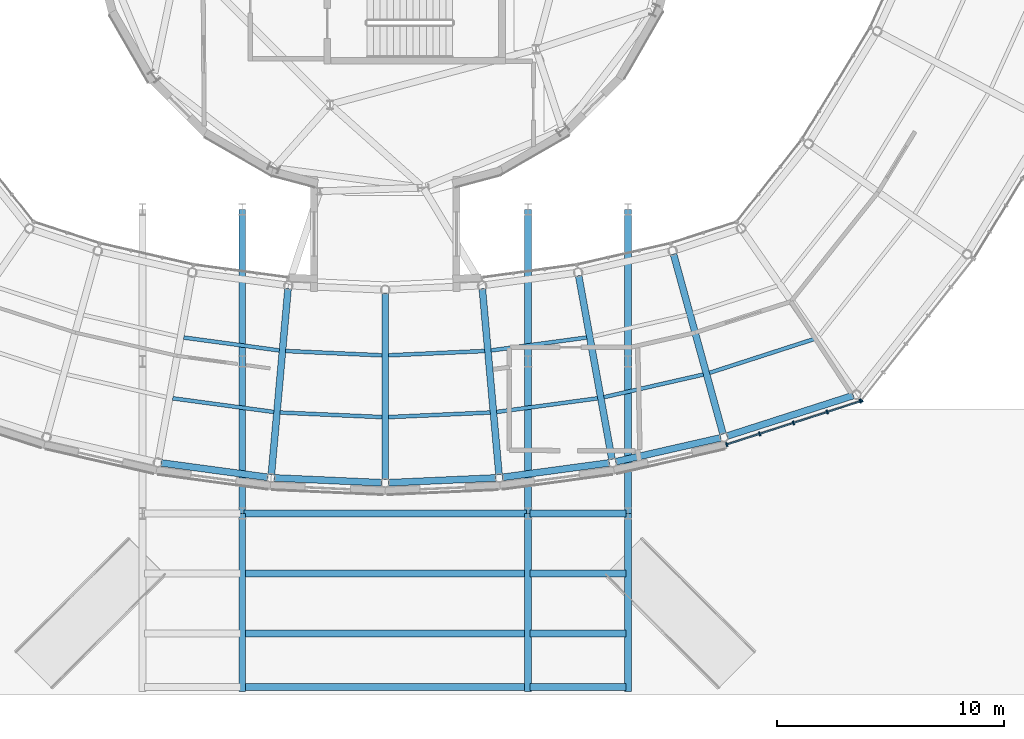
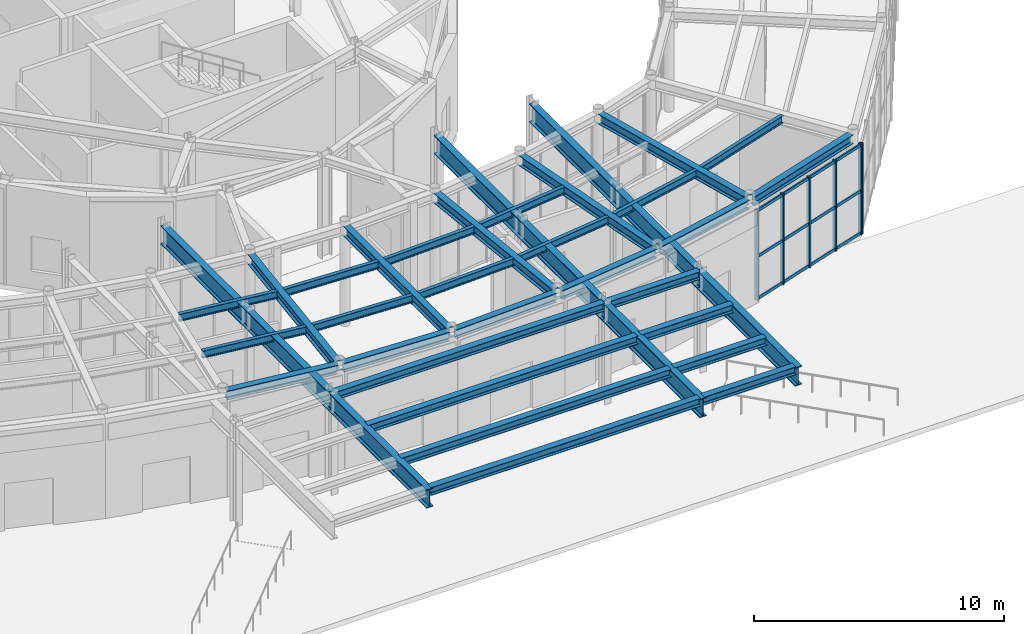
# One storey, part 26 of 97: 35 beams, 9 members, 2 elements without a shape of their own.
"""IFC4 building model written with IfcOpenShell, lengths in metres."""

import ifcopenshell
import ifcopenshell.guid

model = None  # the IFC model being written
_history = None  # IfcOwnerHistory: only IFC2X3 demands one
_inside = {}  # id of a spatial element -> (the spatial element, [elements in it])
_under = {}  # id of a project, library or spatial element -> (it, [spatial elements below it])
_declared = {}  # id of a project -> (the project, [libraries it declares])
_typed = {}  # id of a type object -> (the type object, [elements of that type])
_made_of = {}  # id of a material, layer set ... -> (it, [elements and type objects made of it])


def new_model(schema):
    """Start an empty IFC model of exactly this schema.

    Asked for "IFC4X3", IfcOpenShell would pick the latest addendum, in which some entities
    have other attributes; the version numbers below select the first issue.
    IFC2X3 requires an IfcOwnerHistory on every rooted entity: one is made here for all.
    """
    global model, _history
    if schema == "IFC4X3":
        model = ifcopenshell.file(schema_version=(4, 3, 0, 0))
    else:
        model = ifcopenshell.file(schema=schema)
    _inside.clear()
    _under.clear()
    _declared.clear()
    _typed.clear()
    _made_of.clear()
    _history = None
    if model.schema == "IFC2X3":
        org = make("IfcOrganization", Name="unknown")
        user = make(
            "IfcPersonAndOrganization",
            ThePerson=make("IfcPerson", FamilyName="unknown"),
            TheOrganization=org,
        )
        app = make(
            "IfcApplication",
            ApplicationDeveloper=org,
            Version="unknown",
            ApplicationFullName="unknown",
            ApplicationIdentifier="unknown",
        )
        _history = make(
            "IfcOwnerHistory",
            OwningUser=user,
            OwningApplication=app,
            ChangeAction="ADDED",
            CreationDate=0,
        )
    return model


def make(cls, **values):
    """One entity of the class cls with the attributes given. An attribute that is None is left unset."""
    return model.create_entity(
        cls, **{name: value for name, value in values.items() if value is not None}
    )


def rooted(cls, **values):
    """An entity with a GlobalId (a new one), such as an element, a storey or a relation."""
    return make(cls, GlobalId=ifcopenshell.guid.new(), OwnerHistory=_history, **values)


def si_unit(unit_type, name, prefix=None):
    """IfcSIUnit, for example si_unit("LENGTHUNIT", "METRE", prefix="MILLI")."""
    return make("IfcSIUnit", UnitType=unit_type, Prefix=prefix, Name=name)


def assignment(units):
    """IfcUnitAssignment: the units of a project."""
    return None if units is None else make("IfcUnitAssignment", Units=units)


def point(xyz):
    """IfcCartesianPoint."""
    return None if xyz is None else make("IfcCartesianPoint", Coordinates=xyz)


def direction(xyz):
    """IfcDirection."""
    return None if xyz is None else make("IfcDirection", DirectionRatios=xyz)


def frame(location, z_axis=None, x_axis=None):
    """IfcAxis2Placement3D, a coordinate frame: its origin and axes. An axis left out is left unset."""
    return make(
        "IfcAxis2Placement3D",
        Location=point(location),
        Axis=direction(z_axis),
        RefDirection=direction(x_axis),
    )


def frame_2d(location, x_axis=None):
    """IfcAxis2Placement2D, a coordinate frame in the plane: its origin and x axis."""
    return make(
        "IfcAxis2Placement2D", Location=point(location), RefDirection=direction(x_axis)
    )


def origin():
    """The frame at (0, 0, 0) with its axes left unset."""
    return frame((0.0, 0.0, 0.0))


def origin_2d():
    """The frame at (0, 0) in the plane with its x axis left unset."""
    return frame_2d((0.0, 0.0))


def place(relative_to, where):
    """IfcLocalPlacement: puts the frame where relative to a parent placement (None: the world)."""
    return make(
        "IfcLocalPlacement", PlacementRelTo=relative_to, RelativePlacement=where
    )


def context(
    kind, dimensions, precision=None, world=None, true_north=None, identifier=None
):
    """IfcGeometricRepresentationContext, for example the 3D "Model" context."""
    return make(
        "IfcGeometricRepresentationContext",
        ContextIdentifier=identifier,
        ContextType=kind,
        CoordinateSpaceDimension=dimensions,
        Precision=precision,
        WorldCoordinateSystem=world,
        TrueNorth=true_north,
    )


def subcontext(parent, identifier, kind, view, scale=None):
    """IfcGeometricRepresentationSubContext, for example "Body" below "Model"."""
    return make(
        "IfcGeometricRepresentationSubContext",
        ContextIdentifier=identifier,
        ContextType=kind,
        ParentContext=parent,
        TargetScale=scale,
        TargetView=view,
    )


def project(units=None, contexts=None):
    """IfcProject with its units and contexts."""
    return rooted(
        "IfcProject",
        Name="project",
        RepresentationContexts=contexts,
        UnitsInContext=assignment(units),
    )


def spatial(cls, under=None, at=None, **own):
    """A site, building, storey or space (cls), placed at a placement, below another one or the project."""
    s = rooted(cls, ObjectPlacement=at, **own)
    if under is not None:
        _under.setdefault(under.id(), (under, []))[1].append(s)
    return s


def profile(cls, at=None, kind="AREA", **sizes):
    """A parametric profile (cls). Its sizes go by their IFC names, for example OverallWidth=200.0."""
    return make(cls, ProfileType=kind, Position=at, **sizes)


def rectangle(**sizes):
    """IfcRectangleProfileDef."""
    return profile("IfcRectangleProfileDef", **sizes)


def i_section(**sizes):
    """IfcIShapeProfileDef."""
    return profile("IfcIShapeProfileDef", **sizes)


def extrude(swept, where, along, depth):
    """IfcExtrudedAreaSolid: the profile swept, set in the frame where, extruded along a direction by depth."""
    return make(
        "IfcExtrudedAreaSolid",
        SweptArea=swept,
        Position=where,
        ExtrudedDirection=direction(along),
        Depth=depth,
    )


def shape(context_of_items, identifier, shape_type, items):
    """IfcShapeRepresentation: the items that make up one representation, for example the "Body"."""
    return make(
        "IfcShapeRepresentation",
        ContextOfItems=context_of_items,
        RepresentationIdentifier=identifier,
        RepresentationType=shape_type,
        Items=items,
    )


def material(Name=None, Category=None):
    """IfcMaterial."""
    return make("IfcMaterial", Name=Name, Category=Category)


def material_profile(
    of_material, cross_section, Name=None, Category=None, Priority=None
):
    """IfcMaterialProfile: a cross section and its material."""
    return make(
        "IfcMaterialProfile",
        Name=Name,
        Material=of_material,
        Profile=cross_section,
        Priority=Priority,
        Category=Category,
    )


def profile_set(profiles, Name=None, composite=None):
    """IfcMaterialProfileSet."""
    return make(
        "IfcMaterialProfileSet",
        Name=Name,
        MaterialProfiles=profiles,
        CompositeProfile=composite,
    )


def made_of(thing, what):
    """Note that an element or type object is made of a material, layer set ...; save() writes the relation."""
    if what is not None:
        _made_of.setdefault(what.id(), (what, []))[1].append(thing)
    return thing


def type_object(cls, material=None, **own):
    """A type object (cls), such as IfcWallType, which elements share."""
    return made_of(rooted(cls, **own), material)


def element(
    cls,
    number,
    at=None,
    inside=None,
    cuts=None,
    type_object=None,
    material=None,
    context=None,
    identifier="Body",
    shape_type=None,
    held_by="IfcProductDefinitionShape",
    body=None,
    shapes=None,
    **own,
):
    """One element of the class cls, such as IfcWall. Its Tag is "e" and its number.

    at: its placement. inside: the storey or other place that contains it. cuts: it is an
    opening in that element (IfcRelVoidsElement). A single representation is given by context,
    identifier, shape_type and body (its items); several are given by shapes. held_by: the class
    of the entity that holds the representations. save() writes the other relations.
    """
    e = rooted(cls, Tag="e%d" % number, ObjectPlacement=at, **own)
    if body is not None:
        shapes = [shape(context, identifier, shape_type, body)]
    if shapes is not None:
        e.Representation = make(held_by, Representations=shapes)
    if inside is not None:
        _inside.setdefault(inside.id(), (inside, []))[1].append(e)
    if cuts is not None:
        rooted(
            "IfcRelVoidsElement", RelatingBuildingElement=cuts, RelatedOpeningElement=e
        )
    if type_object is not None:
        _typed.setdefault(type_object.id(), (type_object, []))[1].append(e)
    return made_of(e, material)


def aggregate(whole, parts):
    """IfcRelAggregates: a whole, such as a stair, and the parts it consists of."""
    return rooted("IfcRelAggregates", RelatingObject=whole, RelatedObjects=parts)


def save(model, path):
    """Write the relations noted so far, then the file.

    IfcRelAggregates (storeys below a building ...), IfcRelContainedInSpatialStructure (elements
    in a storey), IfcRelDefinesByType, IfcRelAssociatesMaterial and IfcRelDeclares: one each for
    every whole, place, type object, material and project.
    """
    for whole, parts in _under.values():
        aggregate(whole, parts)
    for where, things in _inside.values():
        rooted(
            "IfcRelContainedInSpatialStructure",
            RelatedElements=things,
            RelatingStructure=where,
        )
    for kind, things in _typed.values():
        rooted("IfcRelDefinesByType", RelatedObjects=things, RelatingType=kind)
    for what, things in _made_of.values():
        rooted("IfcRelAssociatesMaterial", RelatedObjects=things, RelatingMaterial=what)
    for by, libraries in _declared.values():
        rooted("IfcRelDeclares", RelatingContext=by, RelatedDefinitions=libraries)
    model.write(path)


model = new_model("IFC4")

# Units and contexts
model_context = context("Model", 3, precision=1e-05, world=origin(), true_north=direction((0.0, 1.0)))
body_context = subcontext(model_context, "Body", "Model", "MODEL_VIEW")
ifc_project = project(units=[si_unit("LENGTHUNIT", "METRE"), si_unit("AREAUNIT", "SQUARE_METRE"), si_unit("VOLUMEUNIT", "CUBIC_METRE"), si_unit("PLANEANGLEUNIT", "RADIAN"), si_unit("MASSUNIT", "GRAM", prefix="KILO")], contexts=[model_context])

# Site, building, storey
site_placement = place(None, origin())
site = spatial("IfcSite", under=ifc_project, at=site_placement, CompositionType="ELEMENT")
building_placement = place(site_placement, origin())
building = spatial("IfcBuilding", under=site, at=building_placement, Name="Varnklinge Art Gallery", CompositionType="ELEMENT")
storey_placement = place(building_placement, origin())
storey = spatial("IfcBuildingStorey", under=building, at=storey_placement, Name="L00", CompositionType="ELEMENT", Elevation=0.0)

# Beams
ifc_material_1 = material(Name="Steel S355", Category="steel")
ifc_material_profile_1 = material_profile(ifc_material_1, i_section(OverallWidth=0.300048828125, OverallDepth=0.89990234375, WebThickness=0.0185546875, FlangeThickness=0.034912109375, FilletRadius=0.030029296875, at=origin_2d()), Name="HEB 900")
ifc_profile_set_1 = profile_set([ifc_material_profile_1], Name="Steel S355")
beam_type_1 = type_object("IfcBeamType", Name="BM-02", PredefinedType="BEAM", material=ifc_profile_set_1)
beam_1_placement = place(storey_placement, frame((69.199951171875, 24.800048828125, 4.429931640625), z_axis=(0.0, -1.0, 0.0), x_axis=(1.0, 0.0, 0.0)))
element("IfcBeam", 1, at=beam_1_placement, inside=storey, type_object=beam_type_1, Name="Canopy Inline Backspan Girder 2", PredefinedType="BEAM", context=body_context, shape_type="SweptSolid", body=[
    extrude(i_section(OverallWidth=0.300048828125, OverallDepth=0.89990234375, WebThickness=0.0185546875, FlangeThickness=0.034912109375, FilletRadius=0.030029296875, at=origin_2d()), origin(), (0.0, 0.0, 1.0), 13.400146484375),
])
beam_2_placement = place(storey_placement, frame((69.199951171875, 11.39990234375, 4.429931640625), z_axis=(0.0, -1.0, 0.0), x_axis=(1.0, 0.0, 0.0)))
element("IfcBeam", 2, at=beam_2_placement, inside=storey, type_object=beam_type_1, Name="Canopy Cantilever Girder 2", PredefinedType="BEAM", context=body_context, shape_type="SweptSolid", body=[
    extrude(i_section(OverallWidth=0.300048828125, OverallDepth=0.89990234375, WebThickness=0.0185546875, FlangeThickness=0.034912109375, FilletRadius=0.030029296875, at=origin_2d()), origin(), (0.0, 0.0, 1.0), 7.849853515625),
])
beam_3_placement = place(storey_placement, frame((81.800048828125, 24.800048828125, 4.429931640625), z_axis=(0.0, -1.0, 0.0), x_axis=(1.0, 0.0, 0.0)))
element("IfcBeam", 3, at=beam_3_placement, inside=storey, type_object=beam_type_1, Name="Canopy Inline Backspan Girder 3", PredefinedType="BEAM", context=body_context, shape_type="SweptSolid", body=[
    extrude(i_section(OverallWidth=0.300048828125, OverallDepth=0.89990234375, WebThickness=0.0185546875, FlangeThickness=0.034912109375, FilletRadius=0.030029296875, at=origin_2d()), origin(), (0.0, 0.0, 1.0), 13.400146484375),
])
beam_4_placement = place(storey_placement, frame((81.800048828125, 11.39990234375, 4.429931640625), z_axis=(0.0, -1.0, 0.0), x_axis=(1.0, 0.0, 0.0)))
element("IfcBeam", 4, at=beam_4_placement, inside=storey, type_object=beam_type_1, Name="Canopy Cantilever Girder 3", PredefinedType="BEAM", context=body_context, shape_type="SweptSolid", body=[
    extrude(i_section(OverallWidth=0.300048828125, OverallDepth=0.89990234375, WebThickness=0.0185546875, FlangeThickness=0.034912109375, FilletRadius=0.030029296875, at=origin_2d()), origin(), (0.0, 0.0, 1.0), 7.849853515625),
])
beam_5_placement = place(storey_placement, frame((86.199951171875, 24.800048828125, 4.429931640625), z_axis=(0.0, -1.0, 0.0), x_axis=(1.0, 0.0, 0.0)))
element("IfcBeam", 5, at=beam_5_placement, inside=storey, type_object=beam_type_1, Name="Canopy Inline Backspan Girder 4", PredefinedType="BEAM", context=body_context, shape_type="SweptSolid", body=[
    extrude(i_section(OverallWidth=0.300048828125, OverallDepth=0.89990234375, WebThickness=0.0185546875, FlangeThickness=0.034912109375, FilletRadius=0.030029296875, at=origin_2d()), origin(), (0.0, 0.0, 1.0), 13.400146484375),
])
beam_6_placement = place(storey_placement, frame((86.199951171875, 11.39990234375, 4.429931640625), z_axis=(0.0, -1.0, 0.0), x_axis=(1.0, 0.0, 0.0)))
element("IfcBeam", 6, at=beam_6_placement, inside=storey, type_object=beam_type_1, Name="Canopy Cantilever Girder 4", PredefinedType="BEAM", context=body_context, shape_type="SweptSolid", body=[
    extrude(i_section(OverallWidth=0.300048828125, OverallDepth=0.89990234375, WebThickness=0.0185546875, FlangeThickness=0.034912109375, FilletRadius=0.030029296875, at=origin_2d()), origin(), (0.0, 0.0, 1.0), 7.849853515625),
])
ifc_material_2 = material(Name="Steel S355", Category="steel")
ifc_material_profile_2 = material_profile(ifc_material_2, i_section(OverallWidth=0.300048828125, OverallDepth=0.489990234375, WebThickness=0.011962890625, FlangeThickness=0.02294921875, FilletRadius=0.027099609375, at=origin_2d()), Name="HEA 500")
ifc_profile_set_2 = profile_set([ifc_material_profile_2], Name="Steel S355")
beam_type_2 = type_object("IfcBeamType", Name="BM-07", PredefinedType="BEAM", material=ifc_profile_set_2)
beam_7_placement = place(storey_placement, frame((70.482177734375, 13.110107421875, 4.635009765625), z_axis=(0.089446998225, 0.995991583553, 0.0), x_axis=(-0.995991583553, 0.089446998225, 0.0)))
element("IfcBeam", 7, at=beam_7_placement, inside=storey, type_object=beam_type_2, Name="L00 BM-07 BM-V2-L01-R36", PredefinedType="BEAM", context=body_context, shape_type="SweptSolid", body=[
    extrude(i_section(OverallWidth=0.300048828125, OverallDepth=0.489990234375, WebThickness=0.011962890625, FlangeThickness=0.02294921875, FilletRadius=0.027099609375, at=origin_2d()), origin(), (0.0, 0.0, 1.0), 8.229248046875),
])
beam_8_placement = place(storey_placement, frame((75.5, 12.885498046875, 4.635009765625), z_axis=(0.0, 1.0, 0.0), x_axis=(-1.0, 0.0, 0.0)))
element("IfcBeam", 8, at=beam_8_placement, inside=storey, type_object=beam_type_2, Name="L00 BM-07 BM-V2-L01-R37", PredefinedType="BEAM", context=body_context, shape_type="SweptSolid", body=[
    extrude(i_section(OverallWidth=0.300048828125, OverallDepth=0.489990234375, WebThickness=0.011962890625, FlangeThickness=0.02294921875, FilletRadius=0.027099609375, at=origin_2d()), origin(), (0.0, 0.0, 1.0), 8.22900390625),
])
for number, where, z_axis, x_axis, name in (
    (9, (80.517822265625, 13.110107421875, 4.635009765625), (-0.089446998225, 0.995991583553, 0.0), (-0.995991583553, -0.089446998225, 0.0), "L00 BM-07 BM-V2-L01-R38"),
    (10, (85.495361328125, 13.78271484375, 4.635009765625), (-0.178151776958, 0.984003020507, 0.0), (-0.984003020507, -0.178151776958, 0.0), "L00 BM-07 BM-V2-L01-R39"),
    (11, (90.392578125, 14.897705078125, 4.635009765625), (-0.26537851046, 0.96414430776, 0.0), (-0.96414430776, -0.26537851046, 0.0), "L00 BM-07 BM-V2-L01-R40"),
):
    element("IfcBeam", number, at=place(storey_placement, frame(where, z_axis=z_axis, x_axis=x_axis)), inside=storey, type_object=beam_type_2, Name=name, PredefinedType="BEAM", context=body_context, shape_type="SweptSolid", body=[
        extrude(i_section(OverallWidth=0.300048828125, OverallDepth=0.489990234375, WebThickness=0.011962890625, FlangeThickness=0.02294921875, FilletRadius=0.027099609375, at=origin_2d()), origin(), (0.0, 0.0, 1.0), 8.229248046875),
    ])
ifc_material_3 = material(Name="Steel S355", Category="steel")
ifc_material_profile_3 = material_profile(ifc_material_3, i_section(OverallWidth=0.300048828125, OverallDepth=0.389892578125, WebThickness=0.010986328125, FlangeThickness=0.01904296875, FilletRadius=0.027099609375, at=origin_2d()), Name="HEA 400")
ifc_profile_set_3 = profile_set([ifc_material_profile_3], Name="Steel S355")
beam_type_3 = type_object("IfcBeamType", Name="BM-09", PredefinedType="BEAM", material=ifc_profile_set_3)
beam_9_placement = place(storey_placement, frame((69.280029296875, 3.75, 4.68505859375), z_axis=(1.0, 0.0, 0.0), x_axis=(0.0, 1.0, 0.0)))
element("IfcBeam", 12, at=beam_9_placement, inside=storey, type_object=beam_type_3, Name="L00 BM-09 BM-CAN-TR-1-2", PredefinedType="BEAM", context=body_context, shape_type="SweptSolid", body=[
    extrude(i_section(OverallWidth=0.300048828125, OverallDepth=0.389892578125, WebThickness=0.010986328125, FlangeThickness=0.01904296875, FilletRadius=0.027099609375, at=origin_2d()), origin(), (0.0, 0.0, 1.0), 12.43994140625),
])
beam_10_placement = place(storey_placement, frame((81.8798828125, 3.75, 4.68505859375), z_axis=(1.0, 0.0, 0.0), x_axis=(0.0, 1.0, 0.0)))
element("IfcBeam", 13, at=beam_10_placement, inside=storey, type_object=beam_type_3, Name="L00 BM-09 BM-CAN-TR-1-3", PredefinedType="BEAM", context=body_context, shape_type="SweptSolid", body=[
    extrude(i_section(OverallWidth=0.300048828125, OverallDepth=0.389892578125, WebThickness=0.010986328125, FlangeThickness=0.01904296875, FilletRadius=0.027099609375, at=origin_2d()), origin(), (0.0, 0.0, 1.0), 4.240234375),
])
beam_11_placement = place(storey_placement, frame((69.280029296875, 6.10009765625, 4.68505859375), z_axis=(1.0, 0.0, 0.0), x_axis=(0.0, 1.0, 0.0)))
element("IfcBeam", 14, at=beam_11_placement, inside=storey, type_object=beam_type_3, Name="L00 BM-09 BM-CAN-TR-2-2", PredefinedType="BEAM", context=body_context, shape_type="SweptSolid", body=[
    extrude(i_section(OverallWidth=0.300048828125, OverallDepth=0.389892578125, WebThickness=0.010986328125, FlangeThickness=0.01904296875, FilletRadius=0.027099609375, at=origin_2d()), origin(), (0.0, 0.0, 1.0), 12.43994140625),
])
beam_12_placement = place(storey_placement, frame((81.8798828125, 6.10009765625, 4.68505859375), z_axis=(1.0, 0.0, 0.0), x_axis=(0.0, 1.0, 0.0)))
element("IfcBeam", 15, at=beam_12_placement, inside=storey, type_object=beam_type_3, Name="L00 BM-09 BM-CAN-TR-2-3", PredefinedType="BEAM", context=body_context, shape_type="SweptSolid", body=[
    extrude(i_section(OverallWidth=0.300048828125, OverallDepth=0.389892578125, WebThickness=0.010986328125, FlangeThickness=0.01904296875, FilletRadius=0.027099609375, at=origin_2d()), origin(), (0.0, 0.0, 1.0), 4.240234375),
])
beam_13_placement = place(storey_placement, frame((69.280029296875, 8.75, 4.68505859375), z_axis=(1.0, 0.0, 0.0), x_axis=(0.0, 1.0, 0.0)))
element("IfcBeam", 16, at=beam_13_placement, inside=storey, type_object=beam_type_3, Name="L00 BM-09 BM-CAN-TR-3-2", PredefinedType="BEAM", context=body_context, shape_type="SweptSolid", body=[
    extrude(i_section(OverallWidth=0.300048828125, OverallDepth=0.389892578125, WebThickness=0.010986328125, FlangeThickness=0.01904296875, FilletRadius=0.027099609375, at=origin_2d()), origin(), (0.0, 0.0, 1.0), 12.43994140625),
])
beam_14_placement = place(storey_placement, frame((81.8798828125, 8.75, 4.68505859375), z_axis=(1.0, 0.0, 0.0), x_axis=(0.0, 1.0, 0.0)))
element("IfcBeam", 17, at=beam_14_placement, inside=storey, type_object=beam_type_3, Name="L00 BM-09 BM-CAN-TR-3-3", PredefinedType="BEAM", context=body_context, shape_type="SweptSolid", body=[
    extrude(i_section(OverallWidth=0.300048828125, OverallDepth=0.389892578125, WebThickness=0.010986328125, FlangeThickness=0.01904296875, FilletRadius=0.027099609375, at=origin_2d()), origin(), (0.0, 0.0, 1.0), 4.240234375),
])
beam_15_placement = place(storey_placement, frame((69.280029296875, 11.39990234375, 4.68505859375), z_axis=(1.0, 0.0, 0.0), x_axis=(0.0, 1.0, 0.0)))
element("IfcBeam", 18, at=beam_15_placement, inside=storey, type_object=beam_type_3, Name="L00 BM-09 BM-CAN-TR-4-2", PredefinedType="BEAM", context=body_context, shape_type="SweptSolid", body=[
    extrude(i_section(OverallWidth=0.300048828125, OverallDepth=0.389892578125, WebThickness=0.010986328125, FlangeThickness=0.01904296875, FilletRadius=0.027099609375, at=origin_2d()), origin(), (0.0, 0.0, 1.0), 12.43994140625),
])
beam_16_placement = place(storey_placement, frame((81.8798828125, 11.39990234375, 4.68505859375), z_axis=(1.0, 0.0, 0.0), x_axis=(0.0, 1.0, 0.0)))
element("IfcBeam", 19, at=beam_16_placement, inside=storey, type_object=beam_type_3, Name="L00 BM-09 BM-CAN-TR-4-3", PredefinedType="BEAM", context=body_context, shape_type="SweptSolid", body=[
    extrude(i_section(OverallWidth=0.300048828125, OverallDepth=0.389892578125, WebThickness=0.010986328125, FlangeThickness=0.01904296875, FilletRadius=0.027099609375, at=origin_2d()), origin(), (0.0, 0.0, 1.0), 4.240234375),
])
ifc_material_4 = material(Name="Steel S355", Category="steel")
ifc_material_profile_4 = material_profile(ifc_material_4, i_section(OverallWidth=0.169921875, OverallDepth=0.360107421875, WebThickness=0.008056640625, FlangeThickness=0.0126953125, FilletRadius=0.01806640625, at=origin_2d()), Name="IPE 360")
ifc_profile_set_4 = profile_set([ifc_material_profile_4], Name="Steel S355")
beam_type_4 = type_object("IfcBeamType", Name="JST-06", PredefinedType="JOIST", material=ifc_profile_set_4)
beam_17_placement = place(storey_placement, frame((66.1337890625, 16.47314453125, 4.699951171875), z_axis=(0.990994962068, -0.1338991604, 0.0), x_axis=(0.1338991604, 0.990994962068, 0.0)))
element("IfcBeam", 20, at=beam_17_placement, inside=storey, type_object=beam_type_4, Name="L00 JST-06 JST-V2-L01-35-1", PredefinedType="JOIST", context=body_context, shape_type="SweptSolid", body=[
    extrude(i_section(OverallWidth=0.169921875, OverallDepth=0.360107421875, WebThickness=0.008056640625, FlangeThickness=0.0126953125, FilletRadius=0.01806640625, at=origin_2d()), origin(), (0.0, 0.0, 1.0), 4.496337890625),
])
beam_18_placement = place(storey_placement, frame((66.618896484375, 19.152587890625, 4.699951171875), z_axis=(0.990990165217, -0.133934657366, 0.0), x_axis=(0.133934657366, 0.990990165217, 0.0)))
element("IfcBeam", 21, at=beam_18_placement, inside=storey, type_object=beam_type_4, Name="L00 JST-06 JST-V2-L01-35-2", PredefinedType="JOIST", context=body_context, shape_type="SweptSolid", body=[
    extrude(i_section(OverallWidth=0.169921875, OverallDepth=0.360107421875, WebThickness=0.008056640625, FlangeThickness=0.0126953125, FilletRadius=0.01806640625, at=origin_2d()), origin(), (0.0, 0.0, 1.0), 4.252685546875),
])
beam_19_placement = place(storey_placement, frame((70.868408203125, 15.845947265625, 4.699951171875), z_axis=(0.998998547329, -0.044742624361, 0.0), x_axis=(0.044742624361, 0.998998547329, 0.0)))
element("IfcBeam", 22, at=beam_19_placement, inside=storey, type_object=beam_type_4, Name="L00 JST-06 JST-V2-L01-36-1", PredefinedType="JOIST", context=body_context, shape_type="SweptSolid", body=[
    extrude(i_section(OverallWidth=0.169921875, OverallDepth=0.360107421875, WebThickness=0.008056640625, FlangeThickness=0.0126953125, FilletRadius=0.01806640625, at=origin_2d()), origin(), (0.0, 0.0, 1.0), 4.49609375),
])
beam_20_placement = place(storey_placement, frame((71.11181640625, 18.55810546875, 4.699951171875), z_axis=(0.998996870661, -0.044780044774, 0.0), x_axis=(0.044780044774, 0.998996870661, 0.0)))
element("IfcBeam", 23, at=beam_20_placement, inside=storey, type_object=beam_type_4, Name="L00 JST-06 JST-V2-L01-36-2", PredefinedType="JOIST", context=body_context, shape_type="SweptSolid", body=[
    extrude(i_section(OverallWidth=0.169921875, OverallDepth=0.360107421875, WebThickness=0.008056640625, FlangeThickness=0.0126953125, FilletRadius=0.01806640625, at=origin_2d()), origin(), (0.0, 0.0, 1.0), 4.25244140625),
])
beam_21_placement = place(storey_placement, frame((75.639892578125, 15.644775390625, 4.699951171875), z_axis=(0.998998547329, 0.044742624361, 0.0), x_axis=(-0.044742624361, 0.998998547329, 0.0)))
element("IfcBeam", 24, at=beam_21_placement, inside=storey, type_object=beam_type_4, Name="L00 JST-06 JST-V2-L01-37-1", PredefinedType="JOIST", context=body_context, shape_type="SweptSolid", body=[
    extrude(i_section(OverallWidth=0.169921875, OverallDepth=0.360107421875, WebThickness=0.008056640625, FlangeThickness=0.0126953125, FilletRadius=0.01806640625, at=origin_2d()), origin(), (0.0, 0.0, 1.0), 4.49609375),
])
beam_22_placement = place(storey_placement, frame((75.639892578125, 18.36767578125, 4.699951171875), z_axis=(0.998996870661, 0.044780044774, 0.0), x_axis=(-0.044780044774, 0.998996870661, 0.0)))
element("IfcBeam", 25, at=beam_22_placement, inside=storey, type_object=beam_type_4, Name="L00 JST-06 JST-V2-L01-37-2", PredefinedType="JOIST", context=body_context, shape_type="SweptSolid", body=[
    extrude(i_section(OverallWidth=0.169921875, OverallDepth=0.360107421875, WebThickness=0.008056640625, FlangeThickness=0.0126953125, FilletRadius=0.01806640625, at=origin_2d()), origin(), (0.0, 0.0, 1.0), 4.25244140625),
])
beam_23_placement = place(storey_placement, frame((80.410400390625, 15.87109375, 4.699951171875), z_axis=(0.990994962068, 0.1338991604, 0.0), x_axis=(-0.1338991604, 0.990994962068, 0.0)))
element("IfcBeam", 26, at=beam_23_placement, inside=storey, type_object=beam_type_4, Name="L00 JST-06 JST-V2-L01-38-1", PredefinedType="JOIST", context=body_context, shape_type="SweptSolid", body=[
    extrude(i_section(OverallWidth=0.169921875, OverallDepth=0.360107421875, WebThickness=0.008056640625, FlangeThickness=0.0126953125, FilletRadius=0.01806640625, at=origin_2d()), origin(), (0.0, 0.0, 1.0), 4.496337890625),
])
beam_24_placement = place(storey_placement, frame((80.166748046875, 18.5830078125, 4.699951171875), z_axis=(0.990990165217, 0.133934657366, 0.0), x_axis=(-0.133934657366, 0.990990165217, 0.0)))
element("IfcBeam", 27, at=beam_24_placement, inside=storey, type_object=beam_type_4, Name="L00 JST-06 JST-V2-L01-38-2", PredefinedType="JOIST", context=body_context, shape_type="SweptSolid", body=[
    extrude(i_section(OverallWidth=0.169921875, OverallDepth=0.360107421875, WebThickness=0.008056640625, FlangeThickness=0.0126953125, FilletRadius=0.01806640625, at=origin_2d()), origin(), (0.0, 0.0, 1.0), 4.252685546875),
])
beam_25_placement = place(storey_placement, frame((85.141357421875, 16.52294921875, 4.699951171875), z_axis=(0.975052249235, 0.22197547446, 0.0), x_axis=(-0.22197547446, 0.975052249235, 0.0)))
element("IfcBeam", 28, at=beam_25_placement, inside=storey, type_object=beam_type_4, Name="L00 JST-06 JST-V2-L01-39-1", PredefinedType="JOIST", context=body_context, shape_type="SweptSolid", body=[
    extrude(i_section(OverallWidth=0.169921875, OverallDepth=0.360107421875, WebThickness=0.008056640625, FlangeThickness=0.0126953125, FilletRadius=0.01806640625, at=origin_2d()), origin(), (0.0, 0.0, 1.0), 4.49609375),
])
beam_26_placement = place(storey_placement, frame((89.795166015625, 17.59521484375, 4.699951171875), z_axis=(0.951573262441, 0.307422065259, 0.0), x_axis=(-0.307422065259, 0.951573262441, 0.0)))
element("IfcBeam", 29, at=beam_26_placement, inside=storey, type_object=beam_type_4, Name="L00 JST-06 JST-V2-L01-40-1", PredefinedType="JOIST", context=body_context, shape_type="SweptSolid", body=[
    extrude(i_section(OverallWidth=0.169921875, OverallDepth=0.360107421875, WebThickness=0.008056640625, FlangeThickness=0.0126953125, FilletRadius=0.01806640625, at=origin_2d()), origin(), (0.0, 0.0, 1.0), 4.848388671875),
])

# Curtain wall, member
ifc_material_5 = material(Name="Anodised Aluminium", Category="aluminium")
curtain_wall_type = type_object("IfcCurtainWallType", Name="CW-R01", PredefinedType="USERDEFINED", material=ifc_material_5)
curtain_wall_1_placement = place(storey_placement, origin())
curtain_wall_1 = element("IfcCurtainWall", 30, at=curtain_wall_1_placement, inside=storey, type_object=curtain_wall_type, Name="L00 Curtain Wall CW-V2O-L00-01", ObjectType="UNITISED CURTAIN WALL", PredefinedType="USERDEFINED")
ifc_material_6 = material(Name="Anodised Aluminium", Category="aluminium")
ifc_material_profile_5 = material_profile(ifc_material_6, rectangle(XDim=0.06494140625, YDim=0.179931640625, at=origin_2d()), Name="ALU 65x180")
ifc_profile_set_5 = profile_set([ifc_material_profile_5], Name="Anodised Aluminium")
member_type_1 = type_object("IfcMemberType", Name="MUL-01", PredefinedType="MULLION", material=ifc_profile_set_5)
member_1_placement = place(storey_placement, frame((96.49072265625, 16.37841796875, 0.0), z_axis=(0.0, 0.0, 1.0), x_axis=(0.620737354217, 0.784018582101, 0.0)))
member_1 = element("IfcMember", 31, at=member_1_placement, type_object=member_type_1, Name="CW-V2O-L00-01 Mullion 1", PredefinedType="MULLION", context=body_context, shape_type="SweptSolid", body=[
    extrude(rectangle(XDim=0.06494140625, YDim=0.179931640625, at=origin_2d()), origin(), (0.0, 0.0, 1.0), 4.429931640625),
])
aggregate(curtain_wall_1, [member_1])

# Curtain wall, members
curtain_wall_2_placement = place(storey_placement, origin())
curtain_wall_2 = element("IfcCurtainWall", 32, at=curtain_wall_2_placement, inside=storey, type_object=curtain_wall_type, Name="L00 Curtain Wall CW-V2O-L00-40", ObjectType="UNITISED CURTAIN WALL", PredefinedType="USERDEFINED")
member_2_placement = place(storey_placement, frame((90.553466796875, 14.435302734375, 0.0), z_axis=(0.0, 0.0, 1.0), x_axis=(0.951272019071, 0.30835295642, 0.0)))
member_2 = element("IfcMember", 33, at=member_2_placement, type_object=member_type_1, Name="CW-V2O-L00-40 Mullion 1", PredefinedType="MULLION", context=body_context, shape_type="SweptSolid", body=[
    extrude(rectangle(XDim=0.06494140625, YDim=0.179931640625, at=origin_2d()), origin(), (0.0, 0.0, 1.0), 4.429931640625),
])
member_3_placement = place(storey_placement, frame((92.009521484375, 14.906982421875, 0.0), z_axis=(0.0, 0.0, 1.0), x_axis=(0.951272019071, 0.30835295642, 0.0)))
member_3 = element("IfcMember", 34, at=member_3_placement, type_object=member_type_1, Name="CW-V2O-L00-40 Mullion 2", PredefinedType="MULLION", context=body_context, shape_type="SweptSolid", body=[
    extrude(rectangle(XDim=0.06494140625, YDim=0.179931640625, at=origin_2d()), origin(), (0.0, 0.0, 1.0), 4.429931640625),
])
member_4_placement = place(storey_placement, frame((93.49658203125, 15.388916015625, 0.0), z_axis=(0.0, 0.0, 1.0), x_axis=(0.951272019071, 0.30835295642, 0.0)))
member_4 = element("IfcMember", 35, at=member_4_placement, type_object=member_type_1, Name="CW-V2O-L00-40 Mullion 3", PredefinedType="MULLION", context=body_context, shape_type="SweptSolid", body=[
    extrude(rectangle(XDim=0.06494140625, YDim=0.179931640625, at=origin_2d()), origin(), (0.0, 0.0, 1.0), 4.429931640625),
])
member_5_placement = place(storey_placement, frame((94.983642578125, 15.870849609375, 0.0), z_axis=(0.0, 0.0, 1.0), x_axis=(0.951272019071, 0.30835295642, 0.0)))
member_5 = element("IfcMember", 36, at=member_5_placement, type_object=member_type_1, Name="CW-V2O-L00-40 Mullion 4", PredefinedType="MULLION", context=body_context, shape_type="SweptSolid", body=[
    extrude(rectangle(XDim=0.06494140625, YDim=0.179931640625, at=origin_2d()), origin(), (0.0, 0.0, 1.0), 4.429931640625),
])
member_6_placement = place(storey_placement, frame((96.439697265625, 16.3427734375, 0.0), z_axis=(0.0, 0.0, 1.0), x_axis=(0.951272019071, 0.30835295642, 0.0)))
member_6 = element("IfcMember", 37, at=member_6_placement, type_object=member_type_1, Name="CW-V2O-L00-40 Mullion 5", PredefinedType="MULLION", context=body_context, shape_type="SweptSolid", body=[
    extrude(rectangle(XDim=0.06494140625, YDim=0.179931640625, at=origin_2d()), origin(), (0.0, 0.0, 1.0), 4.429931640625),
])

# Beams
ifc_material_7 = material(Name="Steel S355", Category="steel")
ifc_material_profile_6 = material_profile(ifc_material_7, i_section(OverallWidth=0.300048828125, OverallDepth=0.43994140625, WebThickness=0.011474609375, FlangeThickness=0.02099609375, FilletRadius=0.027099609375, at=origin_2d()), Name="HEA 450")
ifc_profile_set_6 = profile_set([ifc_material_profile_6], Name="Steel S355")
beam_type_5 = type_object("IfcBeamType", Name="SPB-02", PredefinedType="SPANDREL", material=ifc_profile_set_6)
beam_27_placement = place(storey_placement, frame((65.618408203125, 13.626220703125, 4.659912109375), z_axis=(0.990995928782, -0.133892005505, 0.0), x_axis=(0.133892005505, 0.990995928782, 0.0)))
element("IfcBeam", 38, at=beam_27_placement, inside=storey, type_object=beam_type_5, Name="L00 SPB-02 BM-V2-L01-O35", PredefinedType="SPANDREL", context=body_context, shape_type="SweptSolid", body=[
    extrude(i_section(OverallWidth=0.300048828125, OverallDepth=0.43994140625, WebThickness=0.011474609375, FlangeThickness=0.02099609375, FilletRadius=0.027099609375, at=origin_2d()), origin(), (0.0, 0.0, 1.0), 4.75537109375),
])
for number, where, z_axis, x_axis, name in (
    (39, (70.609619140625, 12.96435546875, 4.659912109375), (0.998999636454, -0.0447183001, 0.0), (0.0447183001, 0.998999636454, 0.0), "L00 SPB-02 BM-V2-L01-O36"),
    (40, (75.639892578125, 12.751708984375, 4.659912109375), (0.998999636454, 0.0447183001, 0.0), (-0.0447183001, 0.998999636454, 0.0), "L00 SPB-02 BM-V2-L01-O37"),
):
    element("IfcBeam", number, at=place(storey_placement, frame(where, z_axis=z_axis, x_axis=x_axis)), inside=storey, type_object=beam_type_5, Name=name, PredefinedType="SPANDREL", context=body_context, shape_type="SweptSolid", body=[
        extrude(i_section(OverallWidth=0.300048828125, OverallDepth=0.43994140625, WebThickness=0.011474609375, FlangeThickness=0.02099609375, FilletRadius=0.027099609375, at=origin_2d()), origin(), (0.0, 0.0, 1.0), 4.755126953125),
    ])
beam_28_placement = place(storey_placement, frame((80.6689453125, 12.989501953125, 4.659912109375), z_axis=(0.990995928782, 0.133892005505, 0.0), x_axis=(-0.133892005505, 0.990995928782, 0.0)))
element("IfcBeam", 41, at=beam_28_placement, inside=storey, type_object=beam_type_5, Name="L00 SPB-02 BM-V2-L01-O38", PredefinedType="SPANDREL", context=body_context, shape_type="SweptSolid", body=[
    extrude(i_section(OverallWidth=0.300048828125, OverallDepth=0.43994140625, WebThickness=0.011474609375, FlangeThickness=0.02099609375, FilletRadius=0.027099609375, at=origin_2d()), origin(), (0.0, 0.0, 1.0), 4.75537109375),
])
beam_29_placement = place(storey_placement, frame((85.65673828125, 13.676025390625, 4.659912109375), z_axis=(0.975056640979, 0.221956182347, 0.0), x_axis=(-0.221956182347, 0.975056640979, 0.0)))
element("IfcBeam", 42, at=beam_29_placement, inside=storey, type_object=beam_type_5, Name="L00 SPB-02 BM-V2-L01-O39", PredefinedType="SPANDREL", context=body_context, shape_type="SweptSolid", body=[
    extrude(i_section(OverallWidth=0.300048828125, OverallDepth=0.43994140625, WebThickness=0.011474609375, FlangeThickness=0.02099609375, FilletRadius=0.027099609375, at=origin_2d()), origin(), (0.0, 0.0, 1.0), 4.755126953125),
])
beam_30_placement = place(storey_placement, frame((90.56298828125, 14.805419921875, 4.659912109375), z_axis=(0.952022487869, 0.306028074843, 0.0), x_axis=(-0.306028074843, 0.952022487869, 0.0)))
element("IfcBeam", 43, at=beam_30_placement, inside=storey, type_object=beam_type_5, Name="L00 SPB-02 BM-V2-L01-O40", PredefinedType="SPANDREL", context=body_context, shape_type="SweptSolid", body=[
    extrude(i_section(OverallWidth=0.300048828125, OverallDepth=0.43994140625, WebThickness=0.011474609375, FlangeThickness=0.02099609375, FilletRadius=0.027099609375, at=origin_2d()), origin(), (0.0, 0.0, 1.0), 5.855712890625),
])

# Member
ifc_material_8 = material(Name="Anodised Aluminium", Category="aluminium")
ifc_material_profile_7 = material_profile(ifc_material_8, rectangle(XDim=0.06494140625, YDim=0.14990234375, at=origin_2d()), Name="ALU 65x150")
ifc_profile_set_7 = profile_set([ifc_material_profile_7], Name="Anodised Aluminium")
member_type_2 = type_object("IfcMemberType", Name="TRN-01", PredefinedType="USERDEFINED", material=ifc_profile_set_7)
member_7_placement = place(storey_placement, frame((90.553466796875, 14.435302734375, 0.074951171875), z_axis=(0.951297583727, 0.308274078045, 0.0), x_axis=(-0.308274078045, 0.951297583727, 0.0)))
member_7 = element("IfcMember", 44, at=member_7_placement, type_object=member_type_2, Name="CW-V2O-L00-40 Transom 1", ObjectType="TRANSOM", PredefinedType="USERDEFINED", context=body_context, shape_type="SweptSolid", body=[
    extrude(rectangle(XDim=0.06494140625, YDim=0.14990234375, at=origin_2d()), origin(), (0.0, 0.0, 1.0), 6.1875),
])

member_8_placement = place(storey_placement, frame((90.553466796875, 14.435302734375, 2.12646484375), z_axis=(0.951297583727, 0.308274078045, 0.0), x_axis=(-0.308274078045, 0.951297583727, 0.0)))
member_8 = element("IfcMember", 45, at=member_8_placement, type_object=member_type_2, Name="CW-V2O-L00-40 Transom 2", ObjectType="TRANSOM", PredefinedType="USERDEFINED", context=body_context, shape_type="SweptSolid", body=[
    extrude(rectangle(XDim=0.06494140625, YDim=0.14990234375, at=origin_2d()), origin(), (0.0, 0.0, 1.0), 6.1875),
])

member_9_placement = place(storey_placement, frame((90.553466796875, 14.435302734375, 4.35498046875), z_axis=(0.951297583727, 0.308274078045, 0.0), x_axis=(-0.308274078045, 0.951297583727, 0.0)))
member_9 = element("IfcMember", 46, at=member_9_placement, type_object=member_type_2, Name="CW-V2O-L00-40 Transom 3", ObjectType="TRANSOM", PredefinedType="USERDEFINED", context=body_context, shape_type="SweptSolid", body=[
    extrude(rectangle(XDim=0.06494140625, YDim=0.14990234375, at=origin_2d()), origin(), (0.0, 0.0, 1.0), 6.1875),
])

aggregate(curtain_wall_2, [member_2, member_3, member_4, member_5, member_6, member_7, member_8, member_9])

save(model, "model.ifc")
